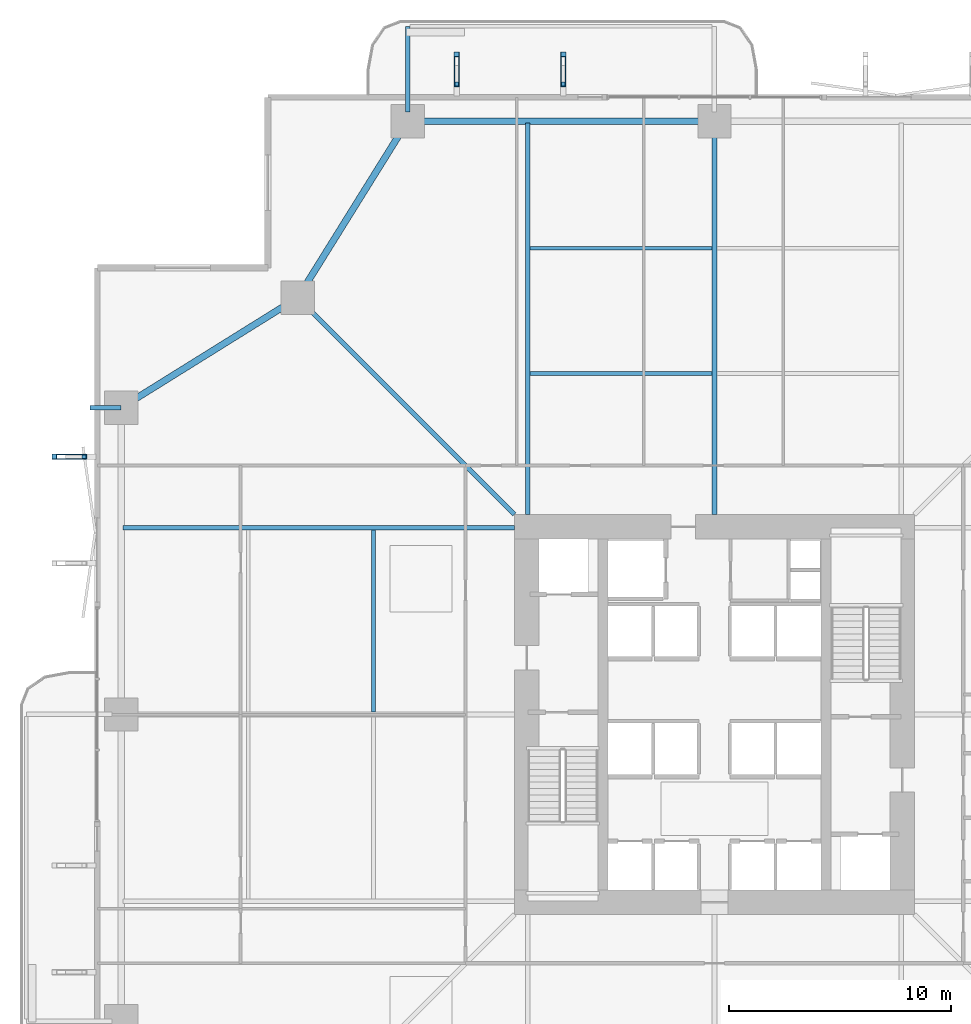
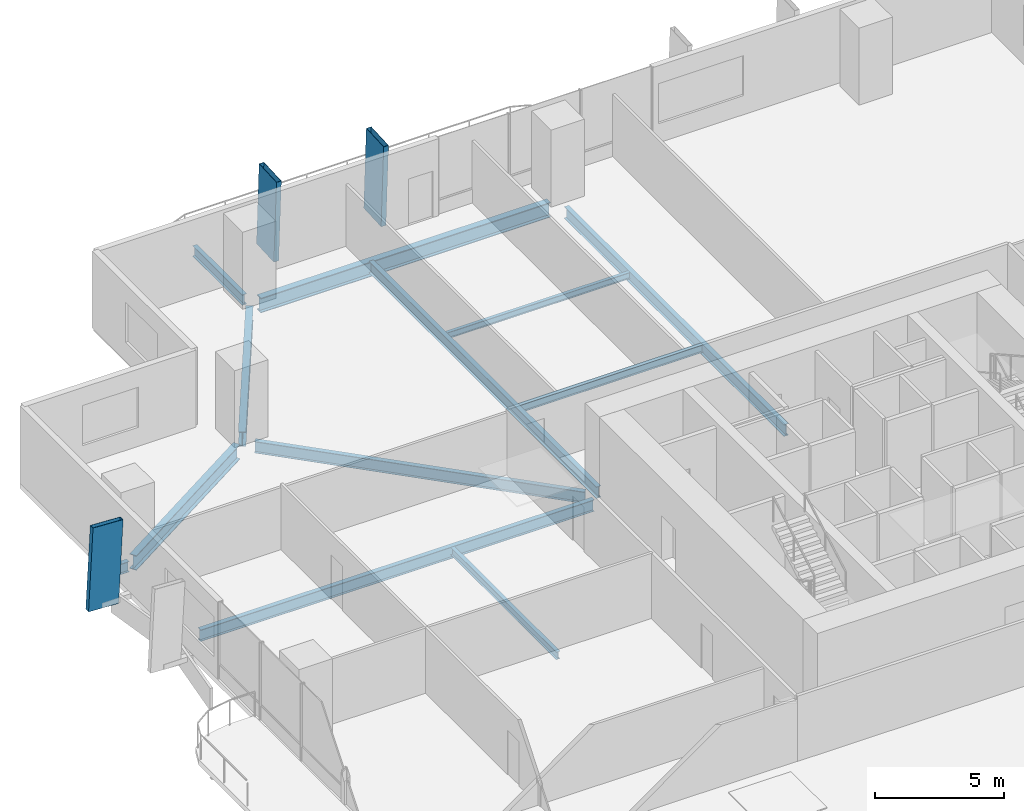
# One storey, part 10 of 24: 12 beams, 3 members.
"""IFC4 building model written with IfcOpenShell, lengths in metres."""

from ifc_helpers import new_model, si_unit, direction, frame, origin, origin_2d, place, context, subcontext, project, spatial, hollow_rectangle, i_section, extrude, material, material_profile, profile_set, type_object, element, save


model = new_model("IFC4")

# Units and contexts
model_context = context("Model", 3, precision=1e-05, world=origin(), true_north=direction((0.0, 1.0)))
body_context = subcontext(model_context, "Body", "Model", "MODEL_VIEW")
ifc_project = project(units=[si_unit("LENGTHUNIT", "METRE"), si_unit("AREAUNIT", "SQUARE_METRE"), si_unit("VOLUMEUNIT", "CUBIC_METRE"), si_unit("PLANEANGLEUNIT", "RADIAN"), si_unit("MASSUNIT", "GRAM", prefix="KILO")], contexts=[model_context])

# Site, building, storey
site_placement = place(None, origin())
site = spatial("IfcSite", under=ifc_project, at=site_placement, CompositionType="ELEMENT")
building_placement = place(site_placement, origin())
building = spatial("IfcBuilding", under=site, at=building_placement, Name="Belovzor Exchange Tower", CompositionType="ELEMENT")
storey_placement = place(building_placement, frame((0.0, 0.0, 72.89990234375)))
storey = spatial("IfcBuildingStorey", under=building, at=storey_placement, Name="L17", CompositionType="ELEMENT", Elevation=72.89990234375)

# Members
ifc_material_1 = material(Name="Extruded Architectural Terracotta on Steel S355 Carrier", Category="masonry")
ifc_material_profile_1 = material_profile(ifc_material_1, hollow_rectangle(XDim=0.219970703125, YDim=1.35009765625, WallThickness=0.013916015625, at=origin_2d()))
ifc_profile_set_1 = profile_set([ifc_material_profile_1], Name="Extruded Architectural Terracotta on Steel S355 Carrier")
member_type = type_object("IfcMemberType", Name="Base Arc Sweeping Terracotta Pylon Fin 1450", PredefinedType="USERDEFINED", material=ifc_profile_set_1)
for number, where, z_axis, x_axis, name in (
    (1, (17.199951171875, 57.927001953125, -0.25), (0.0, -0.051449765599, 0.998675583771), (1.0, 0.0, 0.0), "FIN-TC145 Terracotta Facade Fin L17 N1"),
    (2, (22.0, 57.927001953125, -0.25), (0.0, -0.051449765599, 0.998675583771), (1.0, 0.0, 0.0), "FIN-TC145 Terracotta Facade Fin L17 N2"),
    (3, (-0.326904296875, 40.39990234375, -0.25), (0.051449765599, 0.0, 0.998675583771), (0.0, 1.0, 0.0), "FIN-TC145 Terracotta Facade Fin L17 W4"),
):
    element("IfcMember", number, at=place(storey_placement, frame(where, z_axis=z_axis, x_axis=x_axis)), inside=storey, type_object=member_type, Name=name, ObjectType="FIN", PredefinedType="USERDEFINED", context=body_context, shape_type="SweptSolid", body=[
        extrude(hollow_rectangle(XDim=0.219970703125, YDim=1.35009765625, WallThickness=0.013916015625, at=origin_2d()), origin(), (0.0, 0.0, 1.0), 3.9052734375),
    ])

# Beams
ifc_material_2 = material(Name="Steel S355", Category="steel")
ifc_material_profile_2 = material_profile(ifc_material_2, i_section(OverallWidth=0.199951171875, OverallDepth=0.5, WebThickness=0.01025390625, FlangeThickness=0.01611328125, at=origin_2d()))
ifc_profile_set_2 = profile_set([ifc_material_profile_2], Name="Steel S355")
beam_type_1 = type_object("IfcBeamType", Name="Planted Balcony Cantilever Beam IPE 500", PredefinedType="BEAM", material=ifc_profile_set_2)
beam_1_placement = place(storey_placement, frame((15.0, 55.9130859375, -0.5), z_axis=(0.0, 1.0, 0.0), x_axis=(-1.0, 0.0, 0.0)))
element("IfcBeam", 4, at=beam_1_placement, inside=storey, type_object=beam_type_1, Name="BC-500 Planted Balcony Cantilever Beam IPE 500", PredefinedType="BEAM", context=body_context, shape_type="SweptSolid", body=[
    extrude(i_section(OverallWidth=0.199951171875, OverallDepth=0.5, WebThickness=0.01025390625, FlangeThickness=0.01611328125, at=origin_2d()), origin(), (0.0, 0.0, 1.0), 3.849853515625),
])
beam_2_placement = place(storey_placement, frame((2.10009765625, 42.60009765625, -0.5), z_axis=(-1.0, 0.0, 0.0), x_axis=(0.0, -1.0, 0.0)))
element("IfcBeam", 5, at=beam_2_placement, inside=storey, type_object=beam_type_1, Name="BC-500 Planted Balcony Cantilever Beam IPE 500", PredefinedType="BEAM", context=body_context, shape_type="SweptSolid", body=[
    extrude(i_section(OverallWidth=0.199951171875, OverallDepth=0.5, WebThickness=0.01025390625, FlangeThickness=0.01611328125, at=origin_2d()), origin(), (0.0, 0.0, 1.0), 1.400146484375),
])
ifc_material_3 = material(Name="Steel S355", Category="steel")
ifc_material_profile_3 = material_profile(ifc_material_3, i_section(OverallWidth=0.169921875, OverallDepth=0.360107421875, WebThickness=0.008056640625, FlangeThickness=0.0126953125, at=origin_2d()))
ifc_profile_set_3 = profile_set([ifc_material_profile_3], Name="Steel S355")
beam_type_2 = type_object("IfcBeamType", Name="Secondary Infill Floor Joist IPE 360", PredefinedType="BEAM", material=ifc_profile_set_3)
beam_3_placement = place(storey_placement, frame((20.5048828125, 44.14501953125, -0.429931640625), z_axis=(1.0, 0.0, 0.0), x_axis=(0.0, 1.0, 0.0)))
element("IfcBeam", 6, at=beam_3_placement, inside=storey, type_object=beam_type_2, Name="FJ-360 Secondary Infill Floor Joist IPE 360", PredefinedType="BEAM", context=body_context, shape_type="SweptSolid", body=[
    extrude(i_section(OverallWidth=0.169921875, OverallDepth=0.360107421875, WebThickness=0.008056640625, FlangeThickness=0.0126953125, at=origin_2d()), origin(), (0.0, 0.0, 1.0), 8.190185546875),
])
beam_4_placement = place(storey_placement, frame((13.455078125, 28.905029296875, -0.429931640625), z_axis=(0.0, 1.0, 0.0), x_axis=(-1.0, 0.0, 0.0)))
element("IfcBeam", 7, at=beam_4_placement, inside=storey, type_object=beam_type_2, Name="FJ-360 Secondary Infill Floor Joist IPE 360", PredefinedType="BEAM", context=body_context, shape_type="SweptSolid", body=[
    extrude(i_section(OverallWidth=0.169921875, OverallDepth=0.360107421875, WebThickness=0.008056640625, FlangeThickness=0.0126953125, at=origin_2d()), origin(), (0.0, 0.0, 1.0), 8.18994140625),
])
ifc_material_4 = material(Name="Steel S355", Category="steel")
ifc_material_profile_4 = material_profile(ifc_material_4, i_section(OverallWidth=0.14990234375, OverallDepth=0.300048828125, WebThickness=0.007080078125, FlangeThickness=0.0107421875, at=origin_2d()))
ifc_profile_set_4 = profile_set([ifc_material_profile_4], Name="Steel S355")
beam_type_3 = type_object("IfcBeamType", Name="Secondary Trim Floor Joist IPE 300", PredefinedType="BEAM", material=ifc_profile_set_4)
beam_5_placement = place(storey_placement, frame((20.5048828125, 49.784912109375, -0.39990234375), z_axis=(1.0, 0.0, 0.0), x_axis=(0.0, 1.0, 0.0)))
element("IfcBeam", 8, at=beam_5_placement, inside=storey, type_object=beam_type_3, Name="FJ-300 Secondary Trim Floor Joist IPE 300", PredefinedType="BEAM", context=body_context, shape_type="SweptSolid", body=[
    extrude(i_section(OverallWidth=0.14990234375, OverallDepth=0.300048828125, WebThickness=0.007080078125, FlangeThickness=0.0107421875, at=origin_2d()), origin(), (0.0, 0.0, 1.0), 8.190185546875),
])
ifc_material_5 = material(Name="Steel S355", Category="steel")
ifc_material_profile_5 = material_profile(ifc_material_5, i_section(OverallWidth=0.300048828125, OverallDepth=0.699951171875, WebThickness=0.01708984375, FlangeThickness=0.031982421875, at=origin_2d()))
ifc_profile_set_5 = profile_set([ifc_material_profile_5], Name="Steel S355")
beam_type_4 = type_object("IfcBeamType", Name="Zone 1 Primary Perimeter Girder HEB 700", PredefinedType="BEAM", material=ifc_profile_set_5)
beam_6_placement = place(storey_placement, frame((28.386962890625, 55.5, -0.599853515625), z_axis=(-1.0, 0.0, 0.0), x_axis=(0.0, -1.0, 0.0)))
element("IfcBeam", 9, at=beam_6_placement, inside=storey, type_object=beam_type_4, Name="FG-Z1 Zone 1 Primary Perimeter Girder HEB 700", PredefinedType="BEAM", context=body_context, shape_type="SweptSolid", body=[
    extrude(i_section(OverallWidth=0.300048828125, OverallDepth=0.699951171875, WebThickness=0.01708984375, FlangeThickness=0.031982421875, at=origin_2d()), origin(), (0.0, 0.0, 1.0), 12.974853515625),
])
for number, where, z_axis, x_axis, name in (
    (10, (14.781982421875, 55.14990234375, -0.599853515625), (-0.528538629686, -0.848909251292, 0.0), (0.848909251292, -0.528538629686, 0.0), "FG-Z1 Zone 1 Primary Perimeter Girder HEB 700"),
    (11, (9.699951171875, 47.33203125, -0.599853515625), (-0.848909251292, -0.528538629686, 0.0), (0.528538629686, -0.848909251292, 0.0), "FG-Z1 Zone 1 Primary Perimeter Girder HEB 700"),
):
    element("IfcBeam", number, at=place(storey_placement, frame(where, z_axis=z_axis, x_axis=x_axis)), inside=storey, type_object=beam_type_4, Name=name, PredefinedType="BEAM", context=body_context, shape_type="SweptSolid", body=[
        extrude(i_section(OverallWidth=0.300048828125, OverallDepth=0.699951171875, WebThickness=0.01708984375, FlangeThickness=0.031982421875, at=origin_2d()), origin(), (0.0, 0.0, 1.0), 8.540283203125),
    ])
ifc_material_6 = material(Name="Steel S355", Category="steel")
ifc_material_profile_6 = material_profile(ifc_material_6, i_section(OverallWidth=0.2099609375, OverallDepth=0.550048828125, WebThickness=0.010986328125, FlangeThickness=0.01708984375, at=origin_2d()))
ifc_profile_set_6 = profile_set([ifc_material_profile_6], Name="Steel S355")
beam_type_5 = type_object("IfcBeamType", Name="Zone 1 Radial Composite Floor Beam IPE 550", PredefinedType="BEAM", material=ifc_profile_set_6)
beam_7_placement = place(storey_placement, frame((20.39990234375, 37.800048828125, -0.52490234375), z_axis=(0.0, 1.0, 0.0), x_axis=(-1.0, 0.0, 0.0)))
element("IfcBeam", 12, at=beam_7_placement, inside=storey, type_object=beam_type_5, Name="FB-550 Zone 1 Radial Composite Floor Beam IPE 550", PredefinedType="BEAM", context=body_context, shape_type="SweptSolid", body=[
    extrude(i_section(OverallWidth=0.2099609375, OverallDepth=0.550048828125, WebThickness=0.010986328125, FlangeThickness=0.01708984375, at=origin_2d()), origin(), (0.0, 0.0, 1.0), 17.625),
])
beam_8_placement = place(storey_placement, frame((28.800048828125, 37.800048828125, -0.52490234375), z_axis=(0.0, 1.0, 0.0), x_axis=(-1.0, 0.0, 0.0)))
element("IfcBeam", 13, at=beam_8_placement, inside=storey, type_object=beam_type_5, Name="FB-550 Zone 1 Radial Composite Floor Beam IPE 550", PredefinedType="BEAM", context=body_context, shape_type="SweptSolid", body=[
    extrude(i_section(OverallWidth=0.2099609375, OverallDepth=0.550048828125, WebThickness=0.010986328125, FlangeThickness=0.01708984375, at=origin_2d()), origin(), (0.0, 0.0, 1.0), 17.0400390625),
])
beam_9_placement = place(storey_placement, frame((19.800048828125, 37.199951171875, -0.52490234375), z_axis=(-1.0, 0.0, 0.0), x_axis=(0.0, -1.0, 0.0)))
element("IfcBeam", 14, at=beam_9_placement, inside=storey, type_object=beam_type_5, Name="FB-550 Zone 1 Radial Composite Floor Beam IPE 550", PredefinedType="BEAM", context=body_context, shape_type="SweptSolid", body=[
    extrude(i_section(OverallWidth=0.2099609375, OverallDepth=0.550048828125, WebThickness=0.010986328125, FlangeThickness=0.01708984375, at=origin_2d()), origin(), (0.0, 0.0, 1.0), 17.625),
])
beam_10_placement = place(storey_placement, frame((19.800048828125, 37.800048828125, -0.52490234375), z_axis=(-0.707106781187, 0.707106781187, 0.0), x_axis=(-0.707106781187, -0.707106781187, 0.0)))
element("IfcBeam", 15, at=beam_10_placement, inside=storey, type_object=beam_type_5, Name="FB-550 Zone 1 Radial Composite Floor Beam IPE 550", PredefinedType="BEAM", context=body_context, shape_type="SweptSolid", body=[
    extrude(i_section(OverallWidth=0.2099609375, OverallDepth=0.550048828125, WebThickness=0.010986328125, FlangeThickness=0.01708984375, at=origin_2d()), origin(), (0.0, 0.0, 1.0), 13.25830078125),
])

save(model, "model.ifc")
